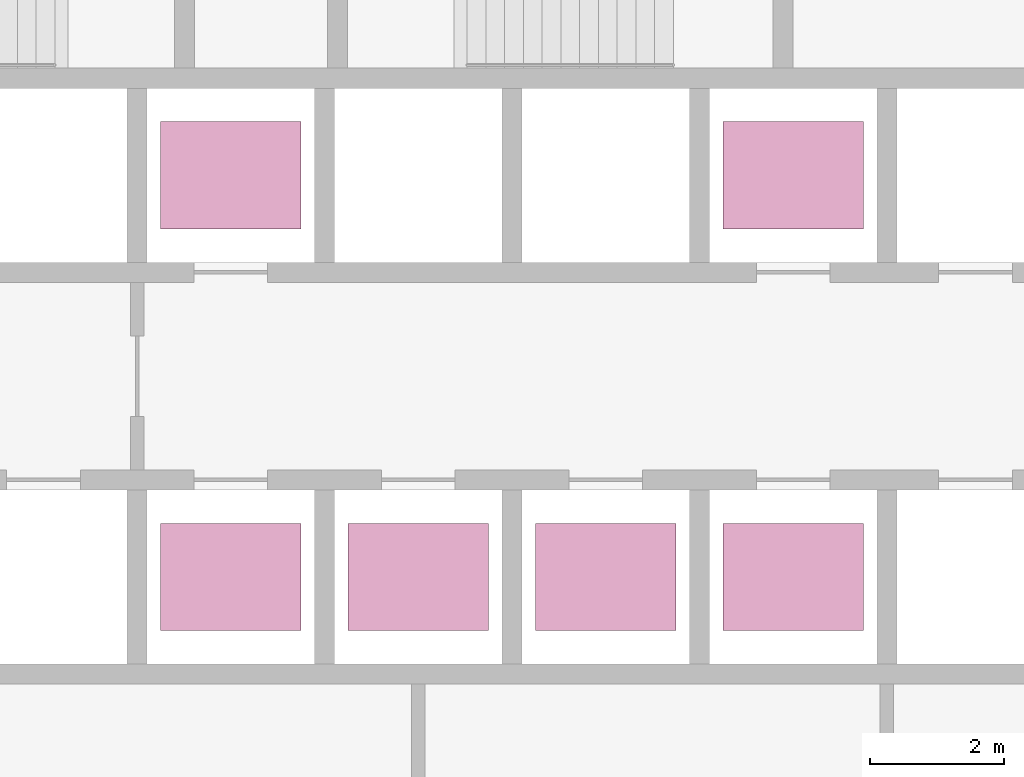
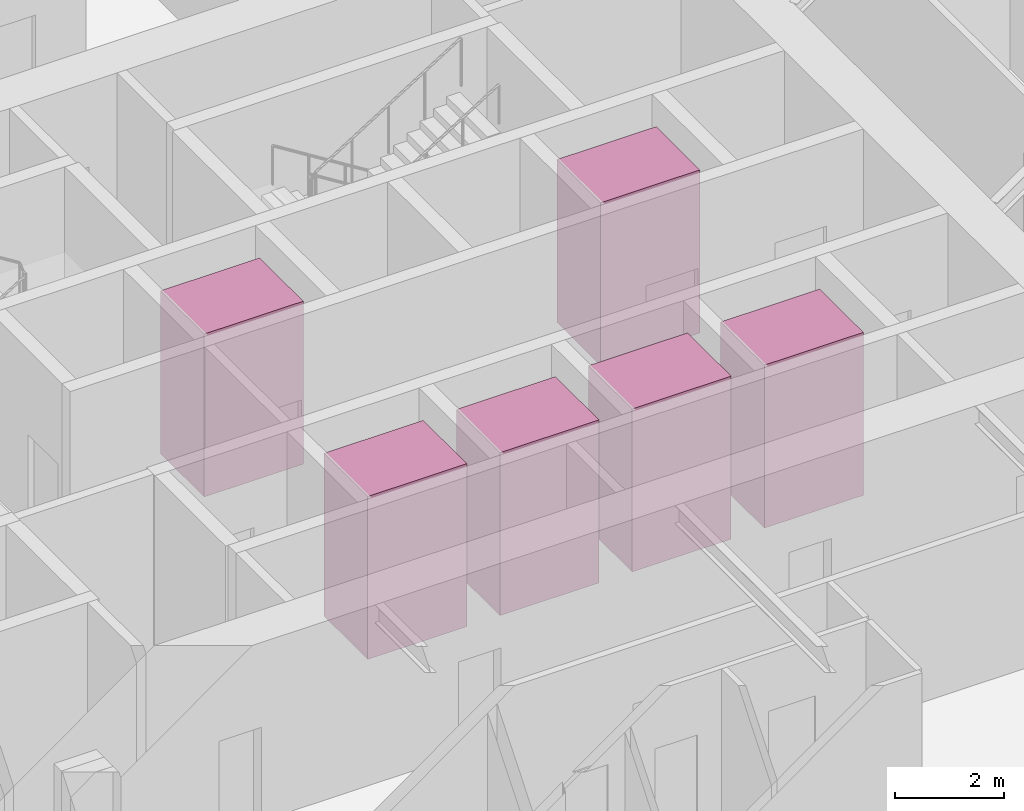
# One storey, part 23 of 23: 6 transport elements.
"""IFC4 building model written with IfcOpenShell, lengths in metres."""

from ifc_helpers import new_model, si_unit, direction, frame, origin, origin_2d, place, context, subcontext, project, spatial, rectangle, extrude, material, type_object, element, save


model = new_model("IFC4")

# Units and contexts
model_context = context("Model", 3, precision=1e-05, world=origin(), true_north=direction((0.0, 1.0)))
body_context = subcontext(model_context, "Body", "Model", "MODEL_VIEW")
ifc_project = project(units=[si_unit("LENGTHUNIT", "METRE"), si_unit("AREAUNIT", "SQUARE_METRE"), si_unit("VOLUMEUNIT", "CUBIC_METRE"), si_unit("PLANEANGLEUNIT", "RADIAN"), si_unit("MASSUNIT", "GRAM", prefix="KILO")], contexts=[model_context])

# Site, building, storey
site_placement = place(None, origin())
site = spatial("IfcSite", under=ifc_project, at=site_placement, CompositionType="ELEMENT")
building_placement = place(site_placement, origin())
building = spatial("IfcBuilding", under=site, at=building_placement, Name="Firuza Gate Tower and Library", CompositionType="ELEMENT")
storey_placement = place(building_placement, frame((0.0, 0.0, 56.800048828125)))
storey = spatial("IfcBuildingStorey", under=building, at=storey_placement, Name="L12", CompositionType="ELEMENT", Elevation=56.800048828125)

# Transport elements
ifc_material = material(Name="Stainless steel and glass", Category="steel")
transport_element_type = type_object("IfcTransportElementType", Name="Low-rise lift car 2100x1600", PredefinedType="ELEVATOR", material=ifc_material)
for number, where, z_axis, x_axis, name in (
    (1, (74.64990234375, 70.300048828125, 0.0), (0.0, 0.0, 1.0), (1.0, 0.0, 0.0), "Low-rise lift LR1"),
    (2, (77.449951171875, 70.300048828125, 0.0), (0.0, 0.0, 1.0), (1.0, 0.0, 0.0), "Low-rise lift LR2"),
    (3, (80.25, 70.300048828125, 0.0), (0.0, 0.0, 1.0), (1.0, 0.0, 0.0), "Low-rise lift LR3"),
    (4, (74.64990234375, 76.300048828125, 0.0), (0.0, 0.0, 1.0), (1.0, 0.0, 0.0), "Low-rise lift LR4"),
    (5, (83.050048828125, 70.300048828125, 0.0), (0.0, 0.0, 1.0), (1.0, 0.0, 0.0), "Low-rise lift LR5"),
    (6, (83.050048828125, 76.300048828125, 0.0), (0.0, 0.0, 1.0), (1.0, 0.0, 0.0), "Low-rise lift LR6"),
):
    element("IfcTransportElement", number, at=place(storey_placement, frame(where, z_axis=z_axis, x_axis=x_axis)), inside=storey, type_object=transport_element_type, Name=name, PredefinedType="ELEVATOR", context=body_context, shape_type="SweptSolid", body=[
        extrude(rectangle(XDim=2.10009765625, YDim=1.60009765625, at=origin_2d()), origin(), (0.0, 0.0, 1.0), 3.64990234375),
    ])

save(model, "model.ifc")
